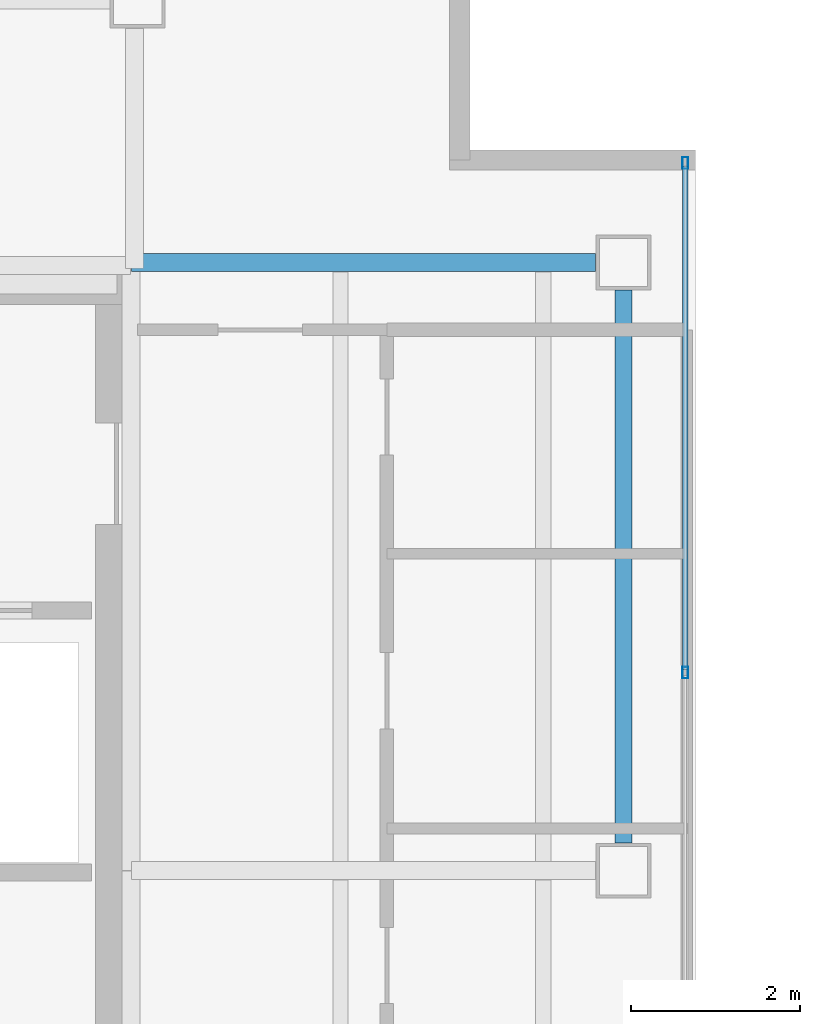
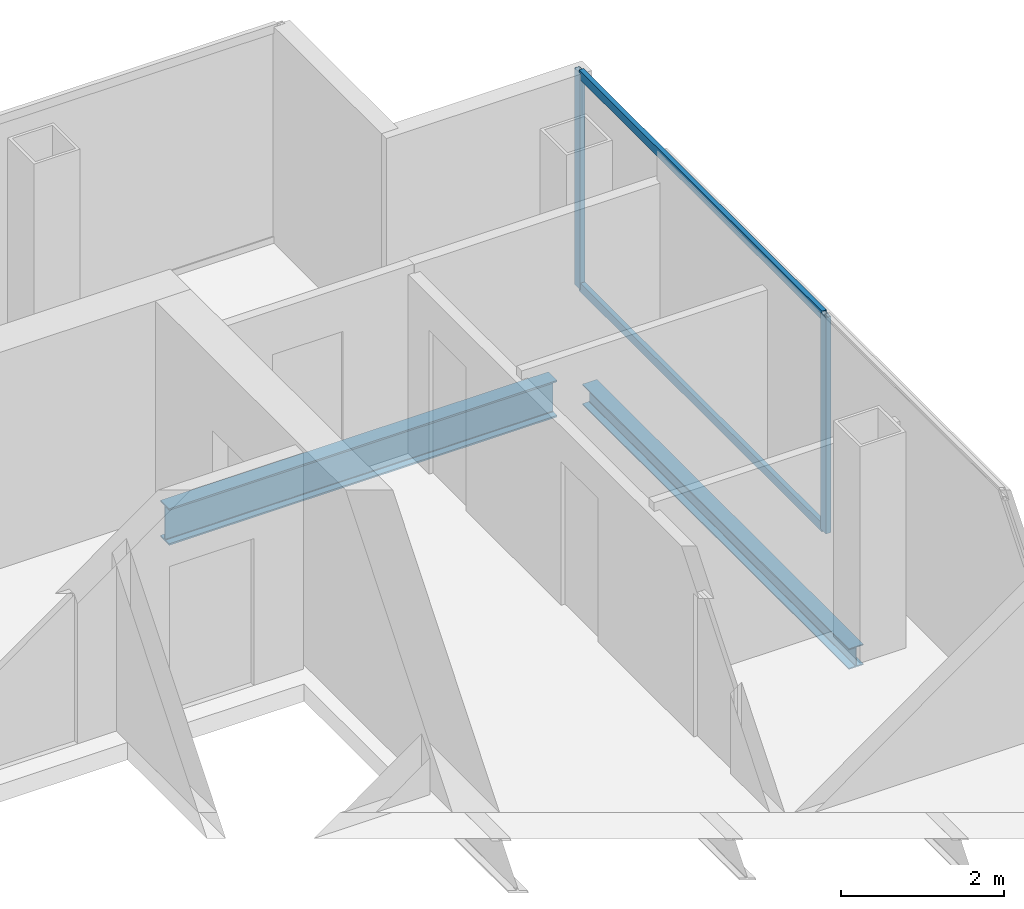
# One storey, part 11 of 23: 4 members, 2 beams, 1 element without a shape of its own.
"""IFC4 building model written with IfcOpenShell, lengths in metres."""

from ifc_helpers import new_model, si_unit, direction, frame, origin, origin_2d, place, context, subcontext, project, spatial, hollow_rectangle, i_section, extrude, material, material_profile, profile_set, type_object, element, aggregate, save


model = new_model("IFC4")

# Units and contexts
model_context = context("Model", 3, precision=1e-05, world=origin(), true_north=direction((0.0, 1.0)))
body_context = subcontext(model_context, "Body", "Model", "MODEL_VIEW")
ifc_project = project(units=[si_unit("LENGTHUNIT", "METRE"), si_unit("AREAUNIT", "SQUARE_METRE"), si_unit("VOLUMEUNIT", "CUBIC_METRE"), si_unit("PLANEANGLEUNIT", "RADIAN"), si_unit("MASSUNIT", "GRAM", prefix="KILO")], contexts=[model_context])

# Site, building, storey
site_placement = place(None, origin())
site = spatial("IfcSite", under=ifc_project, at=site_placement, CompositionType="ELEMENT")
building_placement = place(site_placement, origin())
building = spatial("IfcBuilding", under=site, at=building_placement, Name="Cobrela Telecom Tower", CompositionType="ELEMENT")
storey_placement = place(building_placement, frame((0.0, 0.0, 283.14990234375)))
storey = spatial("IfcBuildingStorey", under=building, at=storey_placement, Name="L74", CompositionType="ELEMENT", Elevation=283.14990234375)

# Beams
ifc_material_1 = material(Name="Steel ASTM A992 Grade 50", Category="steel")
ifc_material_profile_1 = material_profile(ifc_material_1, i_section(OverallWidth=0.212890625, OverallDepth=0.549072265625, WebThickness=0.0146484375, FlangeThickness=0.023681640625, FilletRadius=0.013916015625, at=origin_2d()), Name="W21X93")
ifc_profile_set_1 = profile_set([ifc_material_profile_1], Name="Steel ASTM A992 Grade 50")
beam_type_1 = type_object("IfcBeamType", Name="BM-GIRD-08", PredefinedType="USERDEFINED", material=ifc_profile_set_1)
beam_1_placement = place(storey_placement, frame((14.324951171875, 36.0, -0.534423828125), z_axis=(1.0, 0.0, 0.0), x_axis=(0.0, 1.0, 0.0)))
element("IfcBeam", 1, at=beam_1_placement, inside=storey, type_object=beam_type_1, Name="L74 Primary Girder X18", ObjectType="GIRDER", PredefinedType="USERDEFINED", context=body_context, shape_type="SweptSolid", body=[
    extrude(i_section(OverallWidth=0.212890625, OverallDepth=0.549072265625, WebThickness=0.0146484375, FlangeThickness=0.023681640625, FilletRadius=0.013916015625, at=origin_2d()), origin(), (0.0, 0.0, 1.0), 5.4951171875),
])
ifc_material_profile_2 = material_profile(ifc_material_1, i_section(OverallWidth=0.205078125, OverallDepth=0.31005859375, WebThickness=0.009521484375, FlangeThickness=0.016357421875, FilletRadius=0.010986328125, at=origin_2d()), Name="W12X50")
ifc_profile_set_2 = profile_set([ifc_material_profile_2], Name="Steel ASTM A992 Grade 50")
beam_type_2 = type_object("IfcBeamType", Name="BM-SPAND-07", PredefinedType="SPANDREL", material=ifc_profile_set_2)
beam_2_placement = place(storey_placement, frame((20.14990234375, 29.1298828125, -0.414794921875), z_axis=(0.0, 1.0, 0.0), x_axis=(-1.0, 0.0, 0.0)))
element("IfcBeam", 2, at=beam_2_placement, inside=storey, type_object=beam_type_2, Name="L74 Perimeter Spandrel Y26", PredefinedType="SPANDREL", context=body_context, shape_type="SweptSolid", body=[
    extrude(i_section(OverallWidth=0.205078125, OverallDepth=0.31005859375, WebThickness=0.009521484375, FlangeThickness=0.016357421875, FilletRadius=0.010986328125, at=origin_2d()), origin(), (0.0, 0.0, 1.0), 6.5400390625),
])

# Curtain wall, members
ifc_material_2 = material(Name="Anodized Bronze Aluminium 6063-T6", Category="aluminium")
curtain_wall_type = type_object("IfcCurtainWallType", Name="CW-SYS-OFF-HI", PredefinedType="USERDEFINED", material=ifc_material_2)
curtain_wall_placement = place(storey_placement, origin())
curtain_wall = element("IfcCurtainWall", 3, at=curtain_wall_placement, inside=storey, type_object=curtain_wall_type, Name="L74 Unitised Bronze Curtain Wall 08", ObjectType="UNITISED CURTAIN WALL", PredefinedType="USERDEFINED")
ifc_material_profile_3 = material_profile(ifc_material_2, hollow_rectangle(XDim=0.070068359375, YDim=0.139892578125, WallThickness=0.00390625, at=origin_2d()), Name="ALU 70x140x4")
ifc_profile_set_3 = profile_set([ifc_material_profile_3], Name="Anodized Bronze Aluminium 6063-T6")
member_type_1 = type_object("IfcMemberType", Name="CW-SYS-OFF-HI-MUL", PredefinedType="MULLION", material=ifc_profile_set_3)
member_1_placement = place(storey_placement, frame((20.8798828125, 37.175048828125, 0.0), z_axis=(0.0, 0.0, 1.0), x_axis=(1.0, 0.0, 0.0)))
member_1 = element("IfcMember", 4, at=member_1_placement, type_object=member_type_1, Name="CW-OFF-HI mullion 1", PredefinedType="MULLION", context=body_context, shape_type="SweptSolid", body=[
    extrude(hollow_rectangle(XDim=0.070068359375, YDim=0.139892578125, WallThickness=0.00390625, at=origin_2d()), origin(), (0.0, 0.0, 1.0), 3.239990234375),
])
member_2_placement = place(storey_placement, frame((20.8798828125, 31.14501953125, 0.0), z_axis=(0.0, 0.0, 1.0), x_axis=(1.0, 0.0, 0.0)))
member_2 = element("IfcMember", 5, at=member_2_placement, type_object=member_type_1, Name="CW-OFF-HI mullion 2", PredefinedType="MULLION", context=body_context, shape_type="SweptSolid", body=[
    extrude(hollow_rectangle(XDim=0.070068359375, YDim=0.139892578125, WallThickness=0.00390625, at=origin_2d()), origin(), (0.0, 0.0, 1.0), 3.239990234375),
])
ifc_material_profile_4 = material_profile(ifc_material_2, hollow_rectangle(XDim=0.06494140625, YDim=0.1298828125, WallThickness=0.00390625, at=origin_2d()), Name="ALU 65x130x4")
ifc_profile_set_4 = profile_set([ifc_material_profile_4], Name="Anodized Bronze Aluminium 6063-T6")
member_type_2 = type_object("IfcMemberType", Name="CW-SYS-OFF-HI-TRN", PredefinedType="USERDEFINED", material=ifc_profile_set_4)
member_3_placement = place(storey_placement, frame((20.8798828125, 37.139892578125, 0.03271484375), z_axis=(0.0, -1.0, 0.0), x_axis=(1.0, 0.0, 0.0)))
member_3 = element("IfcMember", 6, at=member_3_placement, type_object=member_type_2, Name="CW-OFF-HI transom 1.1", ObjectType="TRANSOM", PredefinedType="USERDEFINED", context=body_context, shape_type="SweptSolid", body=[
    extrude(hollow_rectangle(XDim=0.06494140625, YDim=0.1298828125, WallThickness=0.00390625, at=origin_2d()), origin(), (0.0, 0.0, 1.0), 5.9599609375),
])
member_4_placement = place(storey_placement, frame((20.8798828125, 37.139892578125, 3.20751953125), z_axis=(0.0, -1.0, 0.0), x_axis=(1.0, 0.0, 0.0)))
member_4 = element("IfcMember", 7, at=member_4_placement, type_object=member_type_2, Name="CW-OFF-HI transom 1.2", ObjectType="TRANSOM", PredefinedType="USERDEFINED", context=body_context, shape_type="SweptSolid", body=[
    extrude(hollow_rectangle(XDim=0.06494140625, YDim=0.1298828125, WallThickness=0.00390625, at=origin_2d()), origin(), (0.0, 0.0, 1.0), 5.9599609375),
])
aggregate(curtain_wall, [member_1, member_2, member_3, member_4])

save(model, "model.ifc")
